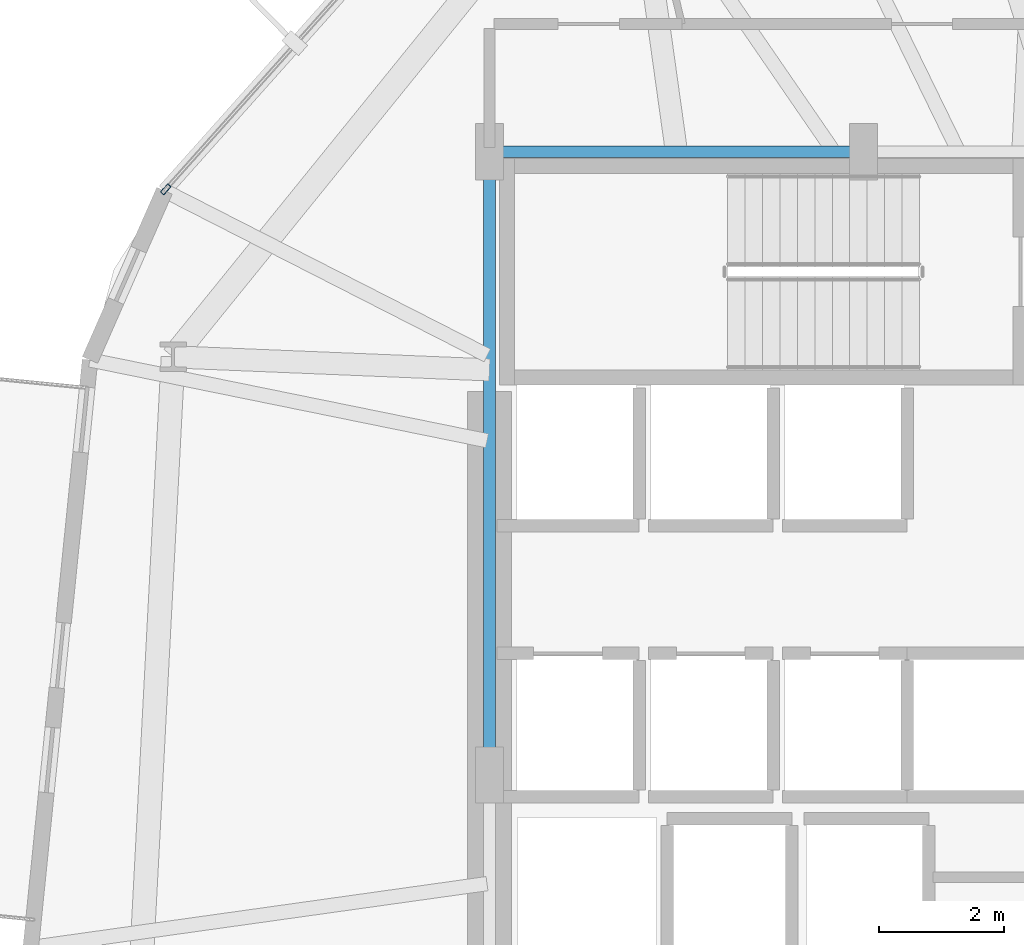
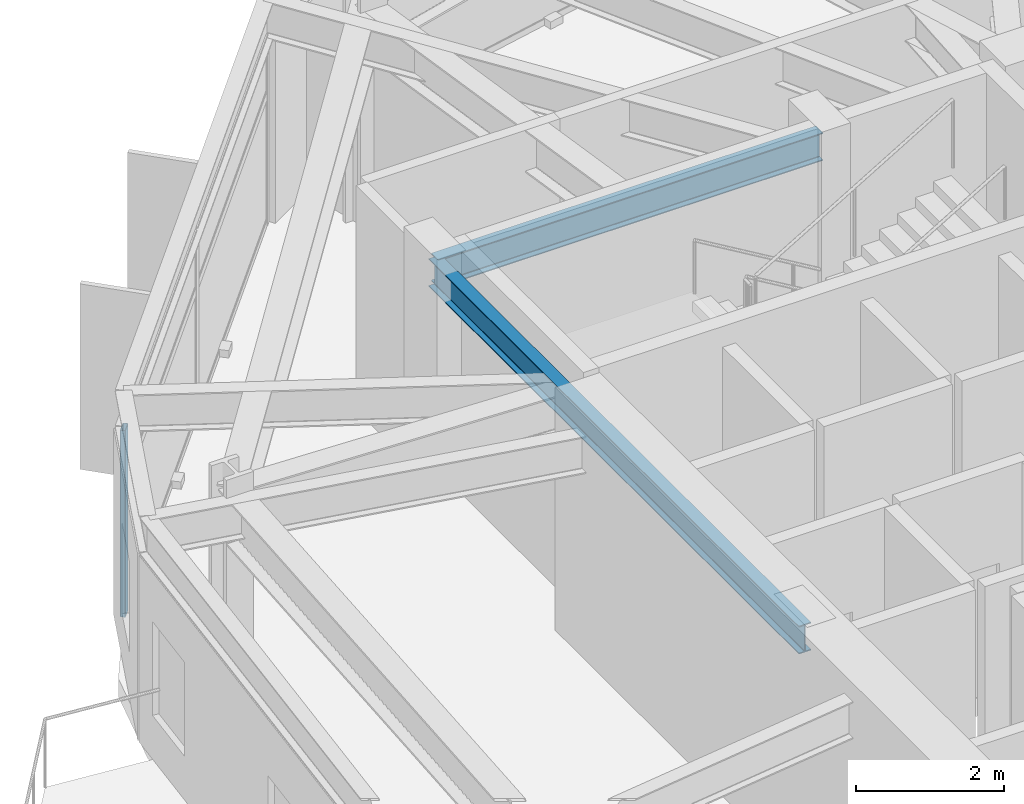
# One storey, part 6 of 22: 2 beams, 1 member, 1 element without a shape of its own.
"""IFC4 building model written with IfcOpenShell, lengths in metres."""

from ifc_helpers import new_model, si_unit, direction, frame, origin, origin_2d, place, context, subcontext, project, spatial, hollow_rectangle, i_section, extrude, material, layer, layer_set, material_profile, profile_set, type_object, element, aggregate, save


model = new_model("IFC4")

# Units and contexts
model_context = context("Model", 3, precision=1e-05, world=origin(), true_north=direction((0.0, 1.0)))
body_context = subcontext(model_context, "Body", "Model", "MODEL_VIEW")
ifc_project = project(units=[si_unit("LENGTHUNIT", "METRE"), si_unit("AREAUNIT", "SQUARE_METRE"), si_unit("VOLUMEUNIT", "CUBIC_METRE"), si_unit("PLANEANGLEUNIT", "RADIAN"), si_unit("MASSUNIT", "GRAM", prefix="KILO")], contexts=[model_context])

# Site, building, storey
site_placement = place(None, origin())
site = spatial("IfcSite", under=ifc_project, at=site_placement, CompositionType="ELEMENT")
building_placement = place(site_placement, origin())
building = spatial("IfcBuilding", under=site, at=building_placement, Name="Soratama Intermodal Tower", CompositionType="ELEMENT")
storey_placement = place(building_placement, frame((0.0, 0.0, 74.60009765625)))
storey = spatial("IfcBuildingStorey", under=building, at=storey_placement, Name="L17", CompositionType="ELEMENT", Elevation=74.60009765625)

# Beams
ifc_material_1 = material(Name="Structural steel ASTM A992 Grade 50", Category="steel")
ifc_material_profile_1 = material_profile(ifc_material_1, i_section(OverallWidth=0.19091796875, OverallDepth=0.4599609375, WebThickness=0.010009765625, FlangeThickness=0.01611328125, FilletRadius=0.010986328125, at=origin_2d()), Name="W18X55")
ifc_profile_set_1 = profile_set([ifc_material_profile_1], Name="Structural steel ASTM A992 Grade 50")
beam_type = type_object("IfcBeamType", Name="BM-FLR-W18X55", PredefinedType="BEAM", material=ifc_profile_set_1)
beam_1_placement = place(storey_placement, frame((38.60009765625, 35.0, 3.469970703125), z_axis=(-1.0, 0.0, 0.0), x_axis=(0.0, -1.0, 0.0)))
element("IfcBeam", 1, at=beam_1_placement, inside=storey, type_object=beam_type, Name="BM-L17-CRING-07", PredefinedType="BEAM", context=body_context, shape_type="SweptSolid", body=[
    extrude(i_section(OverallWidth=0.19091796875, OverallDepth=0.4599609375, WebThickness=0.010009765625, FlangeThickness=0.01611328125, FilletRadius=0.010986328125, at=origin_2d()), origin(), (0.0, 0.0, 1.0), 6.0),
])
beam_2_placement = place(storey_placement, frame((32.60009765625, 35.0, 3.469970703125), z_axis=(0.0, -1.0, 0.0), x_axis=(1.0, 0.0, 0.0)))
element("IfcBeam", 2, at=beam_2_placement, inside=storey, type_object=beam_type, Name="BM-L17-CRING-08", PredefinedType="BEAM", context=body_context, shape_type="SweptSolid", body=[
    extrude(i_section(OverallWidth=0.19091796875, OverallDepth=0.4599609375, WebThickness=0.010009765625, FlangeThickness=0.01611328125, FilletRadius=0.010986328125, at=origin_2d()), origin(), (0.0, 0.0, 1.0), 10.0),
])

# Curtain wall, member
ifc_material_2 = material(Name="Double-glazed aluminium curtain wall", Category="aluminium")
ifc_layer = layer(ifc_material_2, 0.159912109375)
ifc_layer_set = layer_set([ifc_layer], Name="Double-glazed aluminium curtain wall")
curtain_wall_type = type_object("IfcCurtainWallType", Name="CW-SYS-2", PredefinedType="NOTDEFINED", material=ifc_layer_set)
curtain_wall_placement = place(storey_placement, origin())
curtain_wall = element("IfcCurtainWall", 3, at=curtain_wall_placement, inside=storey, type_object=curtain_wall_type, Name="L17 Faceted Curtain Wall F04", PredefinedType="NOTDEFINED")
ifc_material_3 = material(Name="Anodised aluminium AA 6063-T6", Category="aluminium")
ifc_material_profile_2 = material_profile(ifc_material_3, hollow_rectangle(XDim=0.074951171875, YDim=0.179931640625, WallThickness=0.006103515625, InnerFilletRadius=0.006103515625, OuterFilletRadius=0.011962890625, at=origin_2d()), Name="CWM180X75X6")
ifc_profile_set_2 = profile_set([ifc_material_profile_2], Name="Anodised aluminium AA 6063-T6")
member_type = type_object("IfcMemberType", Name="MT-CWM-2", PredefinedType="MULLION", material=ifc_profile_set_2)
member_placement = place(storey_placement, frame((27.405029296875, 34.3974609375, 0.0), z_axis=(0.0, 0.0, 1.0), x_axis=(0.745936912726, -0.666016608076, 0.0)))
member = element("IfcMember", 4, at=member_placement, type_object=member_type, Name="CW-2 mullion 3", PredefinedType="MULLION", context=body_context, shape_type="SweptSolid", body=[
    extrude(hollow_rectangle(XDim=0.074951171875, YDim=0.179931640625, WallThickness=0.006103515625, InnerFilletRadius=0.006103515625, OuterFilletRadius=0.011962890625, at=origin_2d()), origin(), (0.0, 0.0, 1.0), 3.078857421875),
])
aggregate(curtain_wall, [member])

save(model, "model.ifc")
